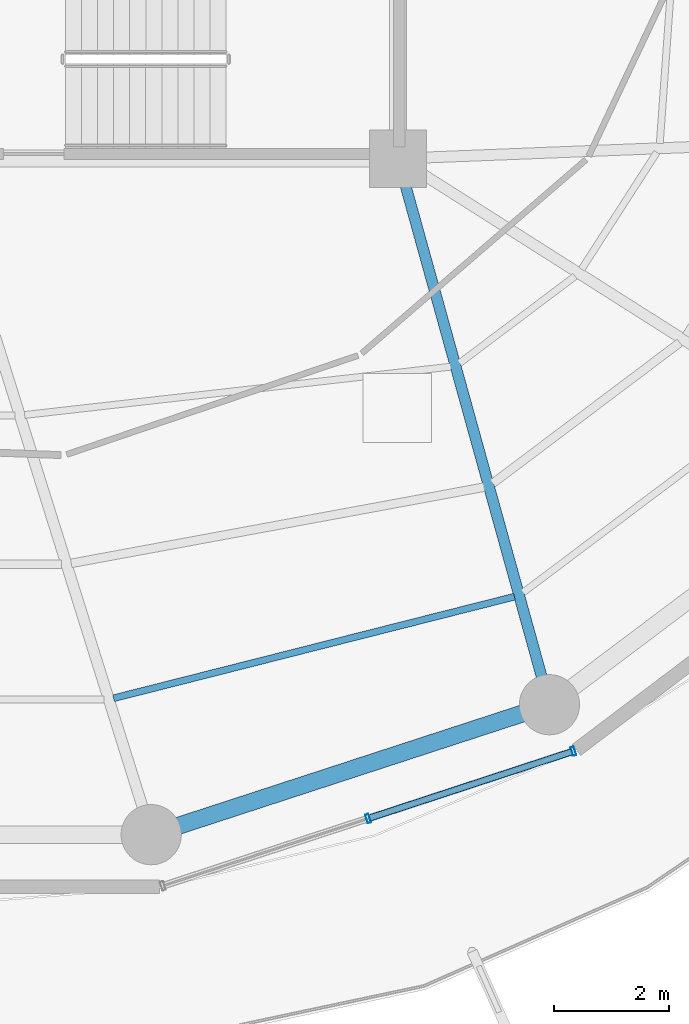
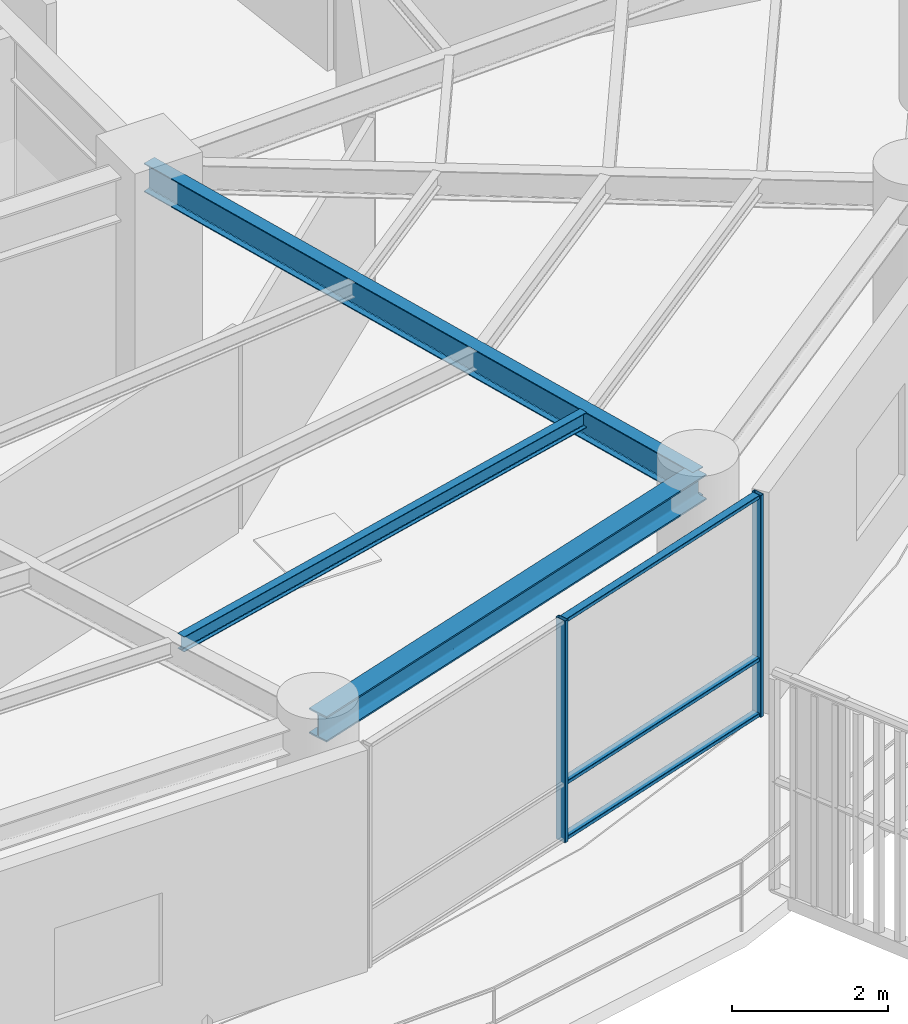
# One storey, part 10 of 31: 5 members, 3 beams, 1 element without a shape of its own.
"""IFC4 building model written with IfcOpenShell, lengths in metres."""

from ifc_helpers import new_model, si_unit, direction, frame, origin, origin_2d, place, context, subcontext, project, spatial, hollow_rectangle, i_section, extrude, material, layer, layer_set, material_profile, profile_set, type_object, element, aggregate, save


model = new_model("IFC4")

# Units and contexts
model_context = context("Model", 3, precision=1e-05, world=origin(), true_north=direction((0.0, 1.0)))
body_context = subcontext(model_context, "Body", "Model", "MODEL_VIEW")
ifc_project = project(units=[si_unit("LENGTHUNIT", "METRE"), si_unit("AREAUNIT", "SQUARE_METRE"), si_unit("VOLUMEUNIT", "CUBIC_METRE"), si_unit("PLANEANGLEUNIT", "RADIAN"), si_unit("MASSUNIT", "GRAM", prefix="KILO")], contexts=[model_context])

# Site, building, storey
site_placement = place(None, origin())
site = spatial("IfcSite", under=ifc_project, at=site_placement, CompositionType="ELEMENT")
building_placement = place(site_placement, origin())
building = spatial("IfcBuilding", under=site, at=building_placement, Name="Kelanora Arch Commons", CompositionType="ELEMENT")
storey_placement = place(building_placement, frame((0.0, 0.0, 223.199951171875)))
storey = spatial("IfcBuildingStorey", under=building, at=storey_placement, Name="L57", CompositionType="ELEMENT", Elevation=223.199951171875)

# Beams
ifc_material_1 = material(Name="Steel S355", Category="steel")
ifc_material_profile_1 = material_profile(ifc_material_1, i_section(OverallWidth=0.1201171875, OverallDepth=0.239990234375, WebThickness=0.006103515625, FlangeThickness=0.009765625, FilletRadius=0.014892578125, at=origin_2d()), Name="IPE240")
ifc_profile_set_1 = profile_set([ifc_material_profile_1], Name="Steel S355")
beam_type_1 = type_object("IfcBeamType", Name="BM-JST-02", PredefinedType="JOIST", material=ifc_profile_set_1)
beam_1_placement = place(storey_placement, frame((77.03857421875, 41.5888671875, 3.3701171875), z_axis=(0.969370989998, 0.245601066263, 0.0), x_axis=(-0.245601066263, 0.969370989998, 0.0)))
element("IfcBeam", 1, at=beam_1_placement, inside=storey, type_object=beam_type_1, Name="Secondary Chord Joist BJC-28 L57", PredefinedType="JOIST", context=body_context, shape_type="SweptSolid", body=[
    extrude(i_section(OverallWidth=0.1201171875, OverallDepth=0.239990234375, WebThickness=0.006103515625, FlangeThickness=0.009765625, FilletRadius=0.014892578125, at=origin_2d()), origin(), (0.0, 0.0, 1.0), 7.2119140625),
])
ifc_material_profile_2 = material_profile(ifc_material_1, i_section(OverallWidth=0.18994140625, OverallDepth=0.449951171875, WebThickness=0.009521484375, FlangeThickness=0.0146484375, FilletRadius=0.02099609375, at=origin_2d()), Name="IPE450")
ifc_profile_set_2 = profile_set([ifc_material_profile_2], Name="Steel S355")
beam_type_2 = type_object("IfcBeamType", Name="BM-RAD-Z4", PredefinedType="BEAM", material=ifc_profile_set_2)
beam_2_placement = place(storey_placement, frame((82.0, 51.0, 3.26513671875), z_axis=(0.267120164296, -0.963663228429, 0.0), x_axis=(0.963663228429, 0.267120164296, 0.0)))
element("IfcBeam", 2, at=beam_2_placement, inside=storey, type_object=beam_type_2, Name="Radial Floor Girder BR-30 L57", PredefinedType="BEAM", context=body_context, shape_type="SweptSolid", body=[
    extrude(i_section(OverallWidth=0.18994140625, OverallDepth=0.449951171875, WebThickness=0.009521484375, FlangeThickness=0.0146484375, FilletRadius=0.02099609375, at=origin_2d()), origin(), (0.0, 0.0, 1.0), 9.8828125),
])
ifc_material_profile_3 = material_profile(ifc_material_1, i_section(OverallWidth=0.300048828125, OverallDepth=0.39990234375, WebThickness=0.013427734375, FlangeThickness=0.02392578125, FilletRadius=0.027099609375, at=origin_2d()), Name="HEB400")
ifc_profile_set_3 = profile_set([ifc_material_profile_3], Name="Steel S355")
beam_type_3 = type_object("IfcBeamType", Name="BM-SPN-Z4", PredefinedType="SPANDREL", material=ifc_profile_set_3)
beam_3_placement = place(storey_placement, frame((77.6953125, 39.2099609375, 3.2900390625), z_axis=(0.950656361143, 0.310245842872, 0.0), x_axis=(-0.310245842872, 0.950656361143, 0.0)))
element("IfcBeam", 3, at=beam_3_placement, inside=storey, type_object=beam_type_3, Name="Perimeter Spandrel Beam BS-28 L57", PredefinedType="SPANDREL", context=body_context, shape_type="SweptSolid", body=[
    extrude(i_section(OverallWidth=0.300048828125, OverallDepth=0.39990234375, WebThickness=0.013427734375, FlangeThickness=0.02392578125, FilletRadius=0.027099609375, at=origin_2d()), origin(), (0.0, 0.0, 1.0), 7.304931640625),
])

# Curtain wall, members
ifc_material_2 = material(Name="Terracotta ceramic-fritted low-E glass and aluminium", Category="masonry")
ifc_layer = layer(ifc_material_2, 0.175048828125)
ifc_layer_set = layer_set([ifc_layer], Name="Terracotta ceramic-fritted low-E glass and aluminium")
curtain_wall_type = type_object("IfcCurtainWallType", Name="CW-SYS-02", PredefinedType="NOTDEFINED", material=ifc_layer_set)
curtain_wall_placement = place(storey_placement, origin())
curtain_wall = element("IfcCurtainWall", 4, at=curtain_wall_placement, inside=storey, type_object=curtain_wall_type, Name="Unitised Curtain Wall L57-B14", PredefinedType="NOTDEFINED")
ifc_material_3 = material(Name="Powder-coated aluminium terracotta", Category="masonry")
ifc_material_profile_4 = material_profile(ifc_material_3, hollow_rectangle(XDim=0.159912109375, YDim=0.06005859375, WallThickness=0.0048828125, InnerFilletRadius=0.0048828125, OuterFilletRadius=0.010009765625, at=origin_2d()), Name="CWM160x60")
ifc_profile_set_4 = profile_set([ifc_material_profile_4], Name="Powder-coated aluminium terracotta")
member_type_1 = type_object("IfcMemberType", Name="CWM-STD", PredefinedType="MULLION", material=ifc_profile_set_4)
member_1_placement = place(storey_placement, frame((81.4775390625, 39.49169921875, 0.0), z_axis=(0.0, 0.0, 1.0), x_axis=(-0.311582439059, 0.950219124029, 0.0)))
member_1 = element("IfcMember", 5, at=member_1_placement, type_object=member_type_1, Name="CW-02 mullion 2", PredefinedType="MULLION", context=body_context, shape_type="SweptSolid", body=[
    extrude(hollow_rectangle(XDim=0.159912109375, YDim=0.06005859375, WallThickness=0.0048828125, InnerFilletRadius=0.0048828125, OuterFilletRadius=0.010009765625, at=origin_2d()), origin(), (0.0, 0.0, 1.0), 3.47509765625),
])
member_2_placement = place(storey_placement, frame((85.05712890625, 40.66552734375, 0.0), z_axis=(0.0, 0.0, 1.0), x_axis=(-0.311582439059, 0.950219124029, 0.0)))
member_2 = element("IfcMember", 6, at=member_2_placement, type_object=member_type_1, Name="CW-02 mullion 3", PredefinedType="MULLION", context=body_context, shape_type="SweptSolid", body=[
    extrude(hollow_rectangle(XDim=0.159912109375, YDim=0.06005859375, WallThickness=0.0048828125, InnerFilletRadius=0.0048828125, OuterFilletRadius=0.010009765625, at=origin_2d()), origin(), (0.0, 0.0, 1.0), 3.47509765625),
])
ifc_material_profile_5 = material_profile(ifc_material_3, hollow_rectangle(XDim=0.1201171875, YDim=0.06005859375, WallThickness=0.0048828125, InnerFilletRadius=0.0048828125, OuterFilletRadius=0.010009765625, at=origin_2d()), Name="CWT120x60")
ifc_profile_set_5 = profile_set([ifc_material_profile_5], Name="Powder-coated aluminium terracotta")
member_type_2 = type_object("IfcMemberType", Name="CWT-STD", PredefinedType="USERDEFINED", material=ifc_profile_set_5)
member_3_placement = place(storey_placement, frame((81.506103515625, 39.5009765625, 0.030029296875), z_axis=(0.950226025222, 0.311561392011, 0.0), x_axis=(-0.311561392011, 0.950226025222, 0.0)))
member_3 = element("IfcMember", 7, at=member_3_placement, type_object=member_type_2, Name="CW-02 transom 2.1", ObjectType="TRANSOM", PredefinedType="USERDEFINED", context=body_context, shape_type="SweptSolid", body=[
    extrude(hollow_rectangle(XDim=0.1201171875, YDim=0.06005859375, WallThickness=0.0048828125, InnerFilletRadius=0.0048828125, OuterFilletRadius=0.010009765625, at=origin_2d()), origin(), (0.0, 0.0, 1.0), 3.707275390625),
])
member_4_placement = place(storey_placement, frame((81.506103515625, 39.5009765625, 0.900146484375), z_axis=(0.950226025222, 0.311561392011, 0.0), x_axis=(-0.311561392011, 0.950226025222, 0.0)))
member_4 = element("IfcMember", 8, at=member_4_placement, type_object=member_type_2, Name="CW-02 transom 2.2", ObjectType="TRANSOM", PredefinedType="USERDEFINED", context=body_context, shape_type="SweptSolid", body=[
    extrude(hollow_rectangle(XDim=0.1201171875, YDim=0.06005859375, WallThickness=0.0048828125, InnerFilletRadius=0.0048828125, OuterFilletRadius=0.010009765625, at=origin_2d()), origin(), (0.0, 0.0, 1.0), 3.707275390625),
])
member_5_placement = place(storey_placement, frame((81.506103515625, 39.5009765625, 3.445068359375), z_axis=(0.950226025222, 0.311561392011, 0.0), x_axis=(-0.311561392011, 0.950226025222, 0.0)))
member_5 = element("IfcMember", 9, at=member_5_placement, type_object=member_type_2, Name="CW-02 transom 2.3", ObjectType="TRANSOM", PredefinedType="USERDEFINED", context=body_context, shape_type="SweptSolid", body=[
    extrude(hollow_rectangle(XDim=0.1201171875, YDim=0.06005859375, WallThickness=0.0048828125, InnerFilletRadius=0.0048828125, OuterFilletRadius=0.010009765625, at=origin_2d()), origin(), (0.0, 0.0, 1.0), 3.707275390625),
])
aggregate(curtain_wall, [member_1, member_2, member_3, member_4, member_5])

save(model, "model.ifc")
